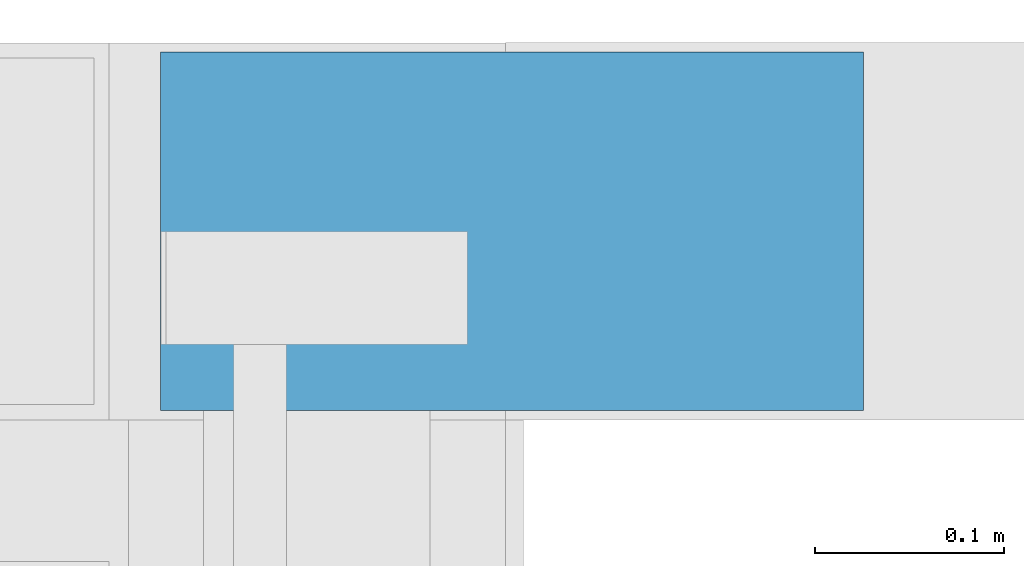
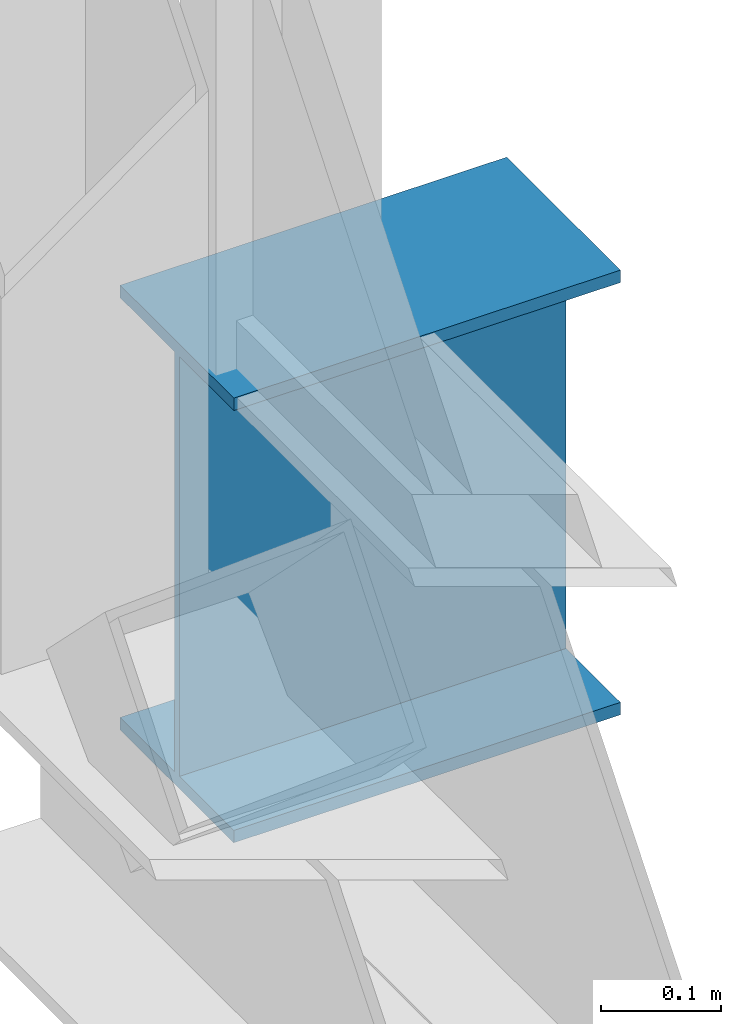
# One storey, part 140 of 646: 1 beam.
"""IFC4 building model written with IfcOpenShell, lengths in metres."""

from ifc_helpers import new_model, si_unit, direction, frame, origin, origin_2d, place, context, subcontext, project, spatial, i_section, extrude, material, material_profile, profile_set, type_object, element, save


model = new_model("IFC4")

# Units and contexts
model_context = context("Model", 3, precision=1e-05, world=origin(), true_north=direction((0.0, 1.0)))
body_context = subcontext(model_context, "Body", "Model", "MODEL_VIEW")
ifc_project = project(units=[si_unit("LENGTHUNIT", "METRE"), si_unit("AREAUNIT", "SQUARE_METRE"), si_unit("VOLUMEUNIT", "CUBIC_METRE"), si_unit("PLANEANGLEUNIT", "RADIAN"), si_unit("MASSUNIT", "GRAM", prefix="KILO")], contexts=[model_context])

# Site, building, storey
site_placement = place(None, origin())
site = spatial("IfcSite", under=ifc_project, at=site_placement, CompositionType="ELEMENT")
building_placement = place(site_placement, origin())
building = spatial("IfcBuilding", under=site, at=building_placement, Name="Silverbay Arena", CompositionType="ELEMENT")
storey_placement = place(building_placement, frame((0.0, 0.0, 33.5)))
storey = spatial("IfcBuildingStorey", under=building, at=storey_placement, Name="L05", CompositionType="ELEMENT", Elevation=33.5)

# Beam
ifc_material = material(Name="Steel S355", Category="steel")
ifc_material_profile = material_profile(ifc_material, i_section(OverallWidth=0.18994140625, OverallDepth=0.453369140625, WebThickness=0.008544921875, FlangeThickness=0.0126953125, at=origin_2d()), Name="UB 457x191x67")
ifc_profile_set = profile_set([ifc_material_profile], Name="Steel S355")
beam_type = type_object("IfcBeamType", Name="Ring beam UB 457x191x67", PredefinedType="BEAM", material=ifc_profile_set)
beam_placement = place(storey_placement, frame((207.127197265625, 153.0, 4.226806640625), z_axis=(1.0, 0.0, 0.0), x_axis=(0.0, 1.0, 0.0)))
element("IfcBeam", 1, at=beam_placement, inside=storey, type_object=beam_type, Name="RING BEAM north edge 24 EAST END", PredefinedType="BEAM", context=body_context, shape_type="SweptSolid", body=[
    extrude(i_section(OverallWidth=0.18994140625, OverallDepth=0.453369140625, WebThickness=0.008544921875, FlangeThickness=0.0126953125, at=origin_2d()), origin(), (0.0, 0.0, 1.0), 0.372802734375),
])

save(model, "model.ifc")
